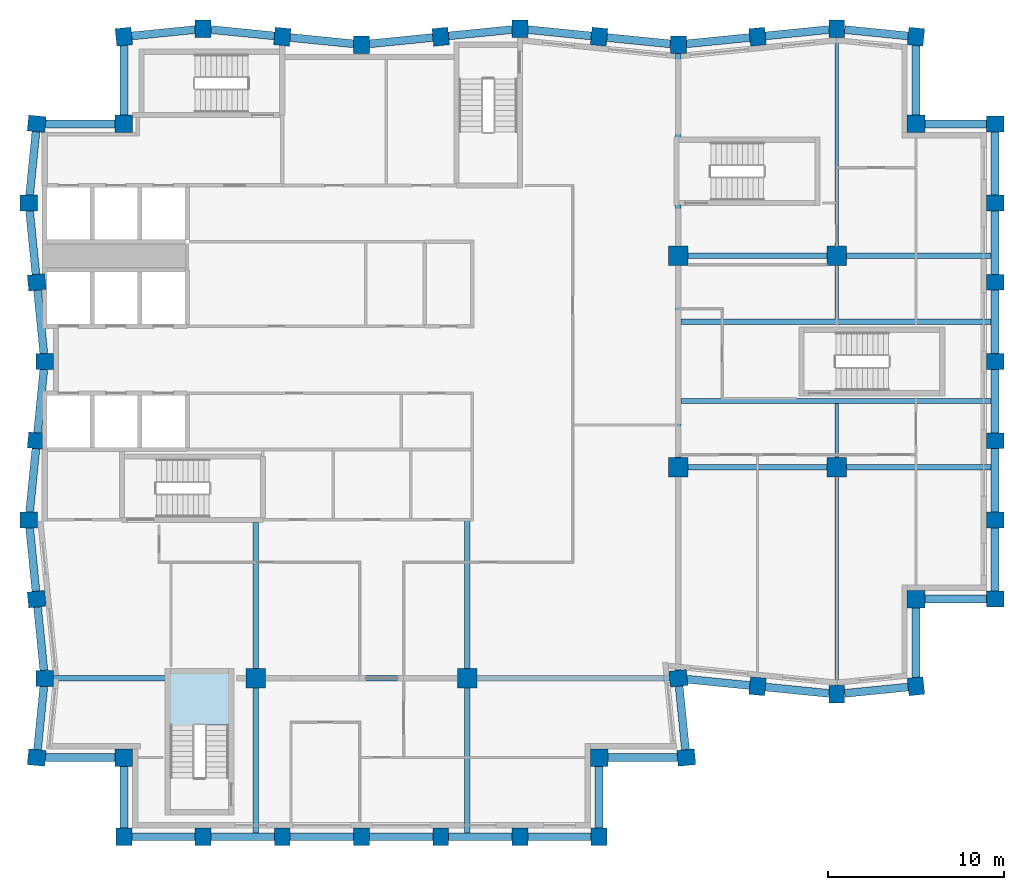
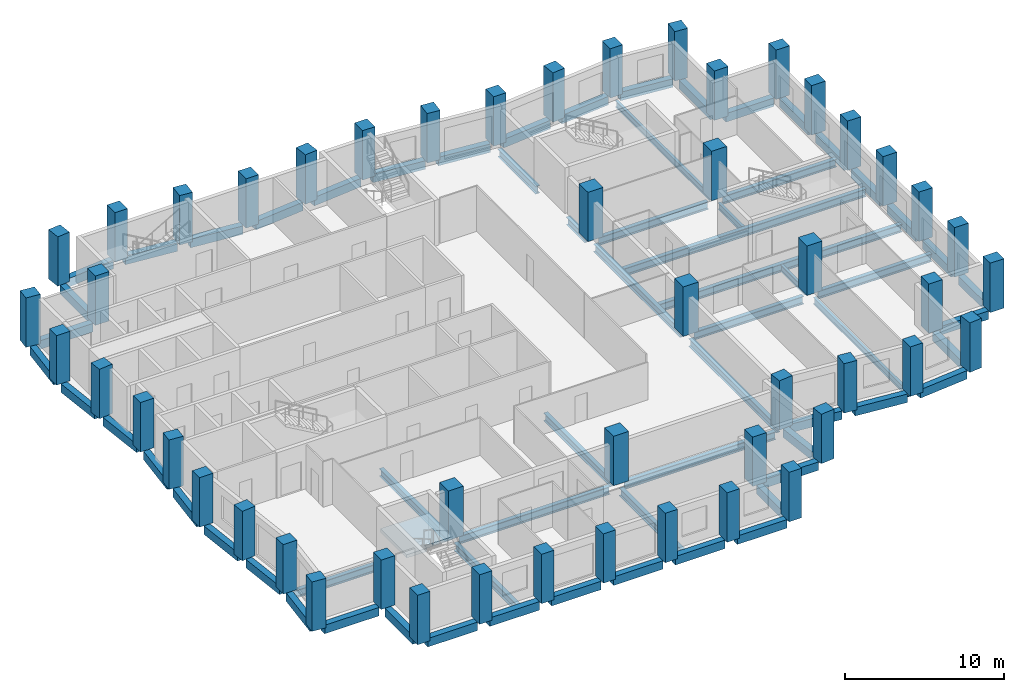
# One storey, part 1 of 8: 65 beams, 50 columns, 1 slab, 1 element without a shape of its own.
"""IFC4 building model written with IfcOpenShell, lengths in metres."""

from ifc_helpers import new_model, si_unit, direction, frame, origin, origin_2d, place, context, subcontext, project, spatial, polyline, rectangle, i_section, outline, extrude, material, layer, layer_set, material_profile, profile_set, type_object, element, aggregate, save


model = new_model("IFC4")

# Units and contexts
model_context = context("Model", 3, precision=1e-05, world=origin(), true_north=direction((0.0, 1.0)))
body_context = subcontext(model_context, "Body", "Model", "MODEL_VIEW")
ifc_project = project(units=[si_unit("LENGTHUNIT", "METRE"), si_unit("AREAUNIT", "SQUARE_METRE"), si_unit("VOLUMEUNIT", "CUBIC_METRE"), si_unit("PLANEANGLEUNIT", "RADIAN"), si_unit("MASSUNIT", "GRAM", prefix="KILO")], contexts=[model_context])

# Site, building, storey
site_placement = place(None, origin())
site = spatial("IfcSite", under=ifc_project, at=site_placement, CompositionType="ELEMENT")
building_placement = place(site_placement, origin())
building = spatial("IfcBuilding", under=site, at=building_placement, Name="Brondeck Convention Tower", CompositionType="ELEMENT")
storey_placement = place(building_placement, frame((0.0, 0.0, 217.800048828125)))
storey = spatial("IfcBuildingStorey", under=building, at=storey_placement, Name="L53", CompositionType="ELEMENT", Elevation=217.800048828125)

# Columns
ifc_material_1 = material(Name="Concrete C50/60", Category="concrete")
ifc_material_profile_1 = material_profile(ifc_material_1, rectangle(XDim=1.0, YDim=1.0, at=origin_2d()), Name="Corner column 1000x1000 Concrete C50/60")
ifc_profile_set_1 = profile_set([ifc_material_profile_1], Name="Concrete C50/60")
column_type_1 = type_object("IfcColumnType", Name="Corner column 1000x1000 Concrete C50/60", PredefinedType="COLUMN", material=ifc_profile_set_1)
for number, where, z_axis, x_axis, name in (
    (1, (4.5, 22.5, 0.0), (0.0, 0.0, 1.0), (1.0, 0.0, 0.0), "STR-COL-L53-NC-SWB18"),
    (2, (31.5, 22.5, 0.0), (0.0, 0.0, 1.0), (1.0, 0.0, 0.0), "STR-COL-L53-NC-SEB18"),
    (3, (49.5, 31.5, 0.0), (0.0, 0.0, 1.0), (1.0, 0.0, 0.0), "STR-COL-L53-NC-SEA54"),
    (4, (49.5, 58.5, 0.0), (0.0, 0.0, 1.0), (1.0, 0.0, 0.0), "STR-COL-L53-NC-NEA54"),
    (5, (4.5, 58.5, 0.0), (0.0, 0.0, 1.0), (1.0, 0.0, 0.0), "STR-COL-L53-NC-NW"),
):
    element("IfcColumn", number, at=place(storey_placement, frame(where, z_axis=z_axis, x_axis=x_axis)), inside=storey, type_object=column_type_1, Name=name, PredefinedType="COLUMN", context=body_context, shape_type="SweptSolid", body=[
        extrude(rectangle(XDim=1.0, YDim=1.0, at=origin_2d()), origin(), (0.0, 0.0, 1.0), 3.800048828125),
    ])
ifc_material_profile_2 = material_profile(ifc_material_1, rectangle(XDim=1.10009765625, YDim=1.10009765625, at=origin_2d()), Name="Interior column 1100x1100 Concrete C50/60")
ifc_profile_set_2 = profile_set([ifc_material_profile_2], Name="Concrete C50/60")
column_type_2 = type_object("IfcColumnType", Name="Interior column 1100x1100 Concrete C50/60", PredefinedType="COLUMN", material=ifc_profile_set_2)
for number, where, z_axis, x_axis, name in (
    (6, (12.0, 27.0, 0.0), (0.0, 0.0, 1.0), (1.0, 0.0, 0.0), "STR-COL-L53-IC-03"),
    (7, (24.0, 27.0, 0.0), (0.0, 0.0, 1.0), (1.0, 0.0, 0.0), "STR-COL-L53-IC-06"),
    (8, (36.0, 39.0, 0.0), (0.0, 0.0, 1.0), (1.0, 0.0, 0.0), "STR-COL-L53-IC-07"),
    (9, (36.0, 51.0, 0.0), (0.0, 0.0, 1.0), (1.0, 0.0, 0.0), "STR-COL-L53-IC-08"),
    (10, (45.0, 39.0, 0.0), (0.0, 0.0, 1.0), (1.0, 0.0, 0.0), "STR-COL-L53-IC-09"),
    (11, (45.0, 51.0, 0.0), (0.0, 0.0, 1.0), (1.0, 0.0, 0.0), "STR-COL-L53-IC-10"),
):
    element("IfcColumn", number, at=place(storey_placement, frame(where, z_axis=z_axis, x_axis=x_axis)), inside=storey, type_object=column_type_2, Name=name, PredefinedType="COLUMN", context=body_context, shape_type="SweptSolid", body=[
        extrude(rectangle(XDim=1.10009765625, YDim=1.10009765625, at=origin_2d()), origin(), (0.0, 0.0, 1.0), 3.800048828125),
    ])
ifc_material_profile_3 = material_profile(ifc_material_1, rectangle(XDim=0.89990234375, YDim=1.0, at=origin_2d()), Name="Perimeter pier 900x1000 Concrete C50/60")
ifc_profile_set_3 = profile_set([ifc_material_profile_3], Name="Concrete C50/60")
column_type_3 = type_object("IfcColumnType", Name="Perimeter pier 900x1000 Concrete C50/60", PredefinedType="COLUMN", material=ifc_profile_set_3)
for number, where, z_axis, x_axis, name in (
    (12, (4.5, 18.0, 0.0), (0.0, 0.0, 1.0), (1.0, 0.0, 0.0), "STR-COL-L53-PC-B-S18-01"),
    (13, (9.0, 18.0, 0.0), (0.0, 0.0, 1.0), (1.0, 0.0, 0.0), "STR-COL-L53-PC-B-S18-02"),
    (14, (13.5, 18.0, 0.0), (0.0, 0.0, 1.0), (1.0, 0.0, 0.0), "STR-COL-L53-PC-B-S18-03"),
    (15, (18.0, 18.0, 0.0), (0.0, 0.0, 1.0), (1.0, 0.0, 0.0), "STR-COL-L53-PC-B-S18-04"),
    (16, (22.5, 18.0, 0.0), (0.0, 0.0, 1.0), (1.0, 0.0, 0.0), "STR-COL-L53-PC-B-S18-05"),
    (17, (27.0, 18.0, 0.0), (0.0, 0.0, 1.0), (1.0, 0.0, 0.0), "STR-COL-L53-PC-B-S18-06"),
    (18, (31.5, 18.0, 0.0), (0.0, 0.0, 1.0), (1.0, 0.0, 0.0), "STR-COL-L53-PC-B-S18-07"),
    (19, (36.449951171875, 22.5, 0.0), (0.0, 0.0, 1.0), (-0.0995038382, 0.995037178292, 0.0), "STR-COL-L53-PC-B-E-01"),
    (20, (36.0, 27.0, 0.0), (0.0, 0.0, 1.0), (-0.0995038382, 0.995037178292, 0.0), "STR-COL-L53-PC-B-E-00"),
    (21, (40.5, 26.550048828125, 0.0), (0.0, 0.0, 1.0), (0.995037178292, -0.0995038382, 0.0), "STR-COL-L53-PC-A-S-01"),
    (22, (45.0, 26.10009765625, 0.0), (0.0, 0.0, 1.0), (1.0, 0.0, 0.0), "STR-COL-L53-PC-A-S-02"),
    (23, (49.5, 26.550048828125, 0.0), (0.0, 0.0, 1.0), (0.995037178292, 0.0995038382, 0.0), "STR-COL-L53-PC-A-S-03"),
    (24, (54.0, 31.5, 0.0), (0.0, 0.0, 1.0), (0.0, 1.0, 0.0), "STR-COL-L53-PC-A-E54-01"),
    (25, (54.0, 36.0, 0.0), (0.0, 0.0, 1.0), (0.0, 1.0, 0.0), "STR-COL-L53-PC-A-E54-02"),
    (26, (54.0, 40.5, 0.0), (0.0, 0.0, 1.0), (0.0, 1.0, 0.0), "STR-COL-L53-PC-A-E54-03"),
    (27, (54.0, 45.0, 0.0), (0.0, 0.0, 1.0), (0.0, 1.0, 0.0), "STR-COL-L53-PC-A-E54-04"),
    (28, (54.0, 49.5, 0.0), (0.0, 0.0, 1.0), (0.0, 1.0, 0.0), "STR-COL-L53-PC-A-E54-05"),
    (29, (54.0, 54.0, 0.0), (0.0, 0.0, 1.0), (0.0, 1.0, 0.0), "STR-COL-L53-PC-A-E54-06"),
    (30, (54.0, 58.5, 0.0), (0.0, 0.0, 1.0), (0.0, 1.0, 0.0), "STR-COL-L53-PC-A-E54-07"),
    (31, (49.5, 63.449951171875, 0.0), (0.0, 0.0, 1.0), (-0.995037178292, 0.0995038382, 0.0), "STR-COL-L53-PC-A-N-11"),
    (32, (45.0, 63.89990234375, 0.0), (0.0, 0.0, 1.0), (-1.0, 0.0, 0.0), "STR-COL-L53-PC-A-N-10"),
    (33, (40.5, 63.449951171875, 0.0), (0.0, 0.0, 1.0), (-0.995037178292, -0.0995038382, 0.0), "STR-COL-L53-PC-A-N-09"),
    (34, (36.0, 63.0, 0.0), (0.0, 0.0, 1.0), (-1.0, 0.0, 0.0), "STR-COL-L53-PC-A-N-08"),
    (35, (31.5, 63.449951171875, 0.0), (0.0, 0.0, 1.0), (-0.995037178292, 0.0995038382, 0.0), "STR-COL-L53-PC-A-N-07"),
    (36, (27.0, 63.89990234375, 0.0), (0.0, 0.0, 1.0), (-1.0, 0.0, 0.0), "STR-COL-L53-PC-A-N-06"),
    (37, (22.5, 63.449951171875, 0.0), (0.0, 0.0, 1.0), (-0.995037178292, -0.0995038382, 0.0), "STR-COL-L53-PC-A-N-05"),
    (38, (18.0, 63.0, 0.0), (0.0, 0.0, 1.0), (-1.0, 0.0, 0.0), "STR-COL-L53-PC-A-N-04"),
    (39, (13.5, 63.449951171875, 0.0), (0.0, 0.0, 1.0), (-0.995037178292, 0.0995038382, 0.0), "STR-COL-L53-PC-A-N-03"),
    (40, (9.0, 63.89990234375, 0.0), (0.0, 0.0, 1.0), (-1.0, 0.0, 0.0), "STR-COL-L53-PC-A-N-02"),
    (41, (4.5, 63.449951171875, 0.0), (0.0, 0.0, 1.0), (-0.995037178292, -0.0995038382, 0.0), "STR-COL-L53-PC-A-N-01"),
    (42, (-0.449951171875, 58.5, 0.0), (0.0, 0.0, 1.0), (-0.0995038382, -0.995037178292, 0.0), "STR-COL-L53-PC-B-W-01"),
    (43, (-0.89990234375, 54.0, 0.0), (0.0, 0.0, 1.0), (0.0, -1.0, 0.0), "STR-COL-L53-PC-B-W-02"),
    (44, (-0.449951171875, 49.5, 0.0), (0.0, 0.0, 1.0), (0.0995038382, -0.995037178292, 0.0), "STR-COL-L53-PC-B-W-03"),
    (45, (0.0, 45.0, 0.0), (0.0, 0.0, 1.0), (0.0, -1.0, 0.0), "STR-COL-L53-PC-B-W-04"),
    (46, (-0.449951171875, 40.5, 0.0), (0.0, 0.0, 1.0), (-0.0995038382, -0.995037178292, 0.0), "STR-COL-L53-PC-B-W-05"),
    (47, (-0.89990234375, 36.0, 0.0), (0.0, 0.0, 1.0), (0.0, -1.0, 0.0), "STR-COL-L53-PC-B-W-06"),
    (48, (-0.449951171875, 31.5, 0.0), (0.0, 0.0, 1.0), (0.0995038382, -0.995037178292, 0.0), "STR-COL-L53-PC-B-W-07"),
    (49, (0.0, 27.0, 0.0), (0.0, 0.0, 1.0), (0.0, -1.0, 0.0), "STR-COL-L53-PC-B-W-08"),
    (50, (-0.449951171875, 22.5, 0.0), (0.0, 0.0, 1.0), (-0.0995038382, -0.995037178292, 0.0), "STR-COL-L53-PC-B-W-09"),
):
    element("IfcColumn", number, at=place(storey_placement, frame(where, z_axis=z_axis, x_axis=x_axis)), inside=storey, type_object=column_type_3, Name=name, PredefinedType="COLUMN", context=body_context, shape_type="SweptSolid", body=[
        extrude(rectangle(XDim=0.89990234375, YDim=1.0, at=origin_2d()), origin(), (0.0, 0.0, 1.0), 3.800048828125),
    ])

# Beams
ifc_material_2 = material(Name="Steel S355", Category="steel")
ifc_material_profile_4 = material_profile(ifc_material_2, i_section(OverallWidth=0.199951171875, OverallDepth=0.5, WebThickness=0.01025390625, FlangeThickness=0.01611328125, FilletRadius=0.02099609375, at=origin_2d()), Name="IPE 500")
ifc_profile_set_4 = profile_set([ifc_material_profile_4], Name="Steel S355")
beam_type_1 = type_object("IfcBeamType", Name="Floor beam IPE 500", PredefinedType="BEAM", material=ifc_profile_set_4)
for number, where, z_axis, x_axis, name in (
    (51, (45.0, 26.60009765625, -0.550048828125), (0.0, 1.0, 0.0), (-1.0, 0.0, 0.0), "STR-FB-L53-001"),
    (52, (45.0, 51.550048828125, -0.550048828125), (0.0, 1.0, 0.0), (-1.0, 0.0, 0.0), "STR-FB-L53-002"),
):
    element("IfcBeam", number, at=place(storey_placement, frame(where, z_axis=z_axis, x_axis=x_axis)), inside=storey, type_object=beam_type_1, Name=name, PredefinedType="BEAM", context=body_context, shape_type="SweptSolid", body=[
        extrude(i_section(OverallWidth=0.199951171875, OverallDepth=0.5, WebThickness=0.01025390625, FlangeThickness=0.01611328125, FilletRadius=0.02099609375, at=origin_2d()), origin(), (0.0, 0.0, 1.0), 11.849853515625),
    ])
for number, where, z_axis, x_axis, name in (
    (53, (45.0, 39.550048828125, -0.550048828125), (0.0, 1.0, 0.0), (-1.0, 0.0, 0.0), "STR-FB-L53-003"),
    (54, (45.0, 47.39990234375, -0.550048828125), (0.0, 1.0, 0.0), (-1.0, 0.0, 0.0), "STR-FB-L53-004"),
):
    element("IfcBeam", number, at=place(storey_placement, frame(where, z_axis=z_axis, x_axis=x_axis)), inside=storey, type_object=beam_type_1, Name=name, PredefinedType="BEAM", context=body_context, shape_type="SweptSolid", body=[
        extrude(i_section(OverallWidth=0.199951171875, OverallDepth=0.5, WebThickness=0.01025390625, FlangeThickness=0.01611328125, FilletRadius=0.02099609375, at=origin_2d()), origin(), (0.0, 0.0, 1.0), 3.050048828125),
    ])
ifc_material_profile_5 = material_profile(ifc_material_2, i_section(OverallWidth=0.300048828125, OverallDepth=0.60009765625, WebThickness=0.015380859375, FlangeThickness=0.030029296875, FilletRadius=0.027099609375, at=origin_2d()), Name="HEB 600")
ifc_profile_set_5 = profile_set([ifc_material_profile_5], Name="Steel S355")
beam_type_2 = type_object("IfcBeamType", Name="Girder HEB 600", PredefinedType="BEAM", material=ifc_profile_set_5)
beam_1_placement = place(storey_placement, frame((36.550048828125, 39.0, -0.60009765625), z_axis=(1.0, 0.0, 0.0), x_axis=(0.0, 1.0, 0.0)))
element("IfcBeam", 55, at=beam_1_placement, inside=storey, type_object=beam_type_2, Name="STR-GR-L53-001", PredefinedType="BEAM", context=body_context, shape_type="SweptSolid", body=[
    extrude(i_section(OverallWidth=0.300048828125, OverallDepth=0.60009765625, WebThickness=0.015380859375, FlangeThickness=0.030029296875, FilletRadius=0.027099609375, at=origin_2d()), origin(), (0.0, 0.0, 1.0), 7.89990234375),
])
beam_2_placement = place(storey_placement, frame((45.550048828125, 39.0, -0.60009765625), z_axis=(1.0, 0.0, 0.0), x_axis=(0.0, 1.0, 0.0)))
element("IfcBeam", 56, at=beam_2_placement, inside=storey, type_object=beam_type_2, Name="STR-GR-L53-002", PredefinedType="BEAM", context=body_context, shape_type="SweptSolid", body=[
    extrude(i_section(OverallWidth=0.300048828125, OverallDepth=0.60009765625, WebThickness=0.015380859375, FlangeThickness=0.030029296875, FilletRadius=0.027099609375, at=origin_2d()), origin(), (0.0, 0.0, 1.0), 8.224853515625),
])
beam_3_placement = place(storey_placement, frame((36.550048828125, 51.0, -0.60009765625), z_axis=(1.0, 0.0, 0.0), x_axis=(0.0, 1.0, 0.0)))
element("IfcBeam", 57, at=beam_3_placement, inside=storey, type_object=beam_type_2, Name="STR-GR-L53-003", PredefinedType="BEAM", context=body_context, shape_type="SweptSolid", body=[
    extrude(i_section(OverallWidth=0.300048828125, OverallDepth=0.60009765625, WebThickness=0.015380859375, FlangeThickness=0.030029296875, FilletRadius=0.027099609375, at=origin_2d()), origin(), (0.0, 0.0, 1.0), 7.89990234375),
])
beam_4_placement = place(storey_placement, frame((45.550048828125, 51.0, -0.60009765625), z_axis=(1.0, 0.0, 0.0), x_axis=(0.0, 1.0, 0.0)))
element("IfcBeam", 58, at=beam_4_placement, inside=storey, type_object=beam_type_2, Name="STR-GR-L53-004", PredefinedType="BEAM", context=body_context, shape_type="SweptSolid", body=[
    extrude(i_section(OverallWidth=0.300048828125, OverallDepth=0.60009765625, WebThickness=0.015380859375, FlangeThickness=0.030029296875, FilletRadius=0.027099609375, at=origin_2d()), origin(), (0.0, 0.0, 1.0), 8.224853515625),
])
beam_5_placement = place(storey_placement, frame((36.0, 27.4521484375, -0.60009765625), z_axis=(0.0, 1.0, 0.0), x_axis=(-1.0, 0.0, 0.0)))
element("IfcBeam", 59, at=beam_5_placement, inside=storey, type_object=beam_type_2, Name="STR-GR-L53-005", PredefinedType="BEAM", context=body_context, shape_type="SweptSolid", body=[
    extrude(i_section(OverallWidth=0.300048828125, OverallDepth=0.60009765625, WebThickness=0.015380859375, FlangeThickness=0.030029296875, FilletRadius=0.027099609375, at=origin_2d()), origin(), (0.0, 0.0, 1.0), 10.997802734375),
])
beam_6_placement = place(storey_placement, frame((36.0, 39.550048828125, -0.60009765625), z_axis=(0.0, 1.0, 0.0), x_axis=(-1.0, 0.0, 0.0)))
element("IfcBeam", 60, at=beam_6_placement, inside=storey, type_object=beam_type_2, Name="STR-GR-L53-006", PredefinedType="BEAM", context=body_context, shape_type="SweptSolid", body=[
    extrude(i_section(OverallWidth=0.300048828125, OverallDepth=0.60009765625, WebThickness=0.015380859375, FlangeThickness=0.030029296875, FilletRadius=0.027099609375, at=origin_2d()), origin(), (0.0, 0.0, 1.0), 10.89990234375),
])
beam_7_placement = place(storey_placement, frame((36.0, 51.550048828125, -0.60009765625), z_axis=(0.0, 1.0, 0.0), x_axis=(-1.0, 0.0, 0.0)))
element("IfcBeam", 61, at=beam_7_placement, inside=storey, type_object=beam_type_2, Name="STR-GR-L53-007", PredefinedType="BEAM", context=body_context, shape_type="SweptSolid", body=[
    extrude(i_section(OverallWidth=0.300048828125, OverallDepth=0.60009765625, WebThickness=0.015380859375, FlangeThickness=0.030029296875, FilletRadius=0.027099609375, at=origin_2d()), origin(), (0.0, 0.0, 1.0), 2.329833984375),
])
beam_8_placement = place(storey_placement, frame((36.0, 57.719970703125, -0.60009765625), z_axis=(0.0, 1.0, 0.0), x_axis=(-1.0, 0.0, 0.0)))
element("IfcBeam", 62, at=beam_8_placement, inside=storey, type_object=beam_type_2, Name="STR-GR-L53-008", PredefinedType="BEAM", context=body_context, shape_type="SweptSolid", body=[
    extrude(i_section(OverallWidth=0.300048828125, OverallDepth=0.60009765625, WebThickness=0.015380859375, FlangeThickness=0.030029296875, FilletRadius=0.027099609375, at=origin_2d()), origin(), (0.0, 0.0, 1.0), 4.780029296875),
])
beam_9_placement = place(storey_placement, frame((12.0, 35.85009765625, -0.60009765625), z_axis=(0.0, -1.0, 0.0), x_axis=(1.0, 0.0, 0.0)))
element("IfcBeam", 63, at=beam_9_placement, inside=storey, type_object=beam_type_2, Name="STR-GR-L53-009", PredefinedType="BEAM", context=body_context, shape_type="SweptSolid", body=[
    extrude(i_section(OverallWidth=0.300048828125, OverallDepth=0.60009765625, WebThickness=0.015380859375, FlangeThickness=0.030029296875, FilletRadius=0.027099609375, at=origin_2d()), origin(), (0.0, 0.0, 1.0), 8.300048828125),
])
beam_10_placement = place(storey_placement, frame((12.0, 26.449951171875, -0.60009765625), z_axis=(0.0, -1.0, 0.0), x_axis=(1.0, 0.0, 0.0)))
element("IfcBeam", 64, at=beam_10_placement, inside=storey, type_object=beam_type_2, Name="STR-GR-L53-010", PredefinedType="BEAM", context=body_context, shape_type="SweptSolid", body=[
    extrude(i_section(OverallWidth=0.300048828125, OverallDepth=0.60009765625, WebThickness=0.015380859375, FlangeThickness=0.030029296875, FilletRadius=0.027099609375, at=origin_2d()), origin(), (0.0, 0.0, 1.0), 8.224853515625),
])
beam_11_placement = place(storey_placement, frame((24.0, 35.955078125, -0.60009765625), z_axis=(0.0, -1.0, 0.0), x_axis=(1.0, 0.0, 0.0)))
element("IfcBeam", 65, at=beam_11_placement, inside=storey, type_object=beam_type_2, Name="STR-GR-L53-011", PredefinedType="BEAM", context=body_context, shape_type="SweptSolid", body=[
    extrude(i_section(OverallWidth=0.300048828125, OverallDepth=0.60009765625, WebThickness=0.015380859375, FlangeThickness=0.030029296875, FilletRadius=0.027099609375, at=origin_2d()), origin(), (0.0, 0.0, 1.0), 8.405029296875),
])
beam_12_placement = place(storey_placement, frame((24.0, 26.449951171875, -0.60009765625), z_axis=(0.0, -1.0, 0.0), x_axis=(1.0, 0.0, 0.0)))
element("IfcBeam", 66, at=beam_12_placement, inside=storey, type_object=beam_type_2, Name="STR-GR-L53-012", PredefinedType="BEAM", context=body_context, shape_type="SweptSolid", body=[
    extrude(i_section(OverallWidth=0.300048828125, OverallDepth=0.60009765625, WebThickness=0.015380859375, FlangeThickness=0.030029296875, FilletRadius=0.027099609375, at=origin_2d()), origin(), (0.0, 0.0, 1.0), 8.224853515625),
])
beam_13_placement = place(storey_placement, frame((0.5, 27.0, -0.60009765625), z_axis=(1.0, 0.0, 0.0), x_axis=(0.0, 1.0, 0.0)))
element("IfcBeam", 67, at=beam_13_placement, inside=storey, type_object=beam_type_2, Name="STR-GR-L53-013", PredefinedType="BEAM", context=body_context, shape_type="SweptSolid", body=[
    extrude(i_section(OverallWidth=0.300048828125, OverallDepth=0.60009765625, WebThickness=0.015380859375, FlangeThickness=0.030029296875, FilletRadius=0.027099609375, at=origin_2d()), origin(), (0.0, 0.0, 1.0), 6.3798828125),
])
beam_14_placement = place(storey_placement, frame((12.550048828125, 27.0, -0.60009765625), z_axis=(1.0, 0.0, 0.0), x_axis=(0.0, 1.0, 0.0)))
element("IfcBeam", 68, at=beam_14_placement, inside=storey, type_object=beam_type_2, Name="STR-GR-L53-014", PredefinedType="BEAM", context=body_context, shape_type="SweptSolid", body=[
    extrude(i_section(OverallWidth=0.300048828125, OverallDepth=0.60009765625, WebThickness=0.015380859375, FlangeThickness=0.030029296875, FilletRadius=0.027099609375, at=origin_2d()), origin(), (0.0, 0.0, 1.0), 10.89990234375),
])
beam_15_placement = place(storey_placement, frame((24.550048828125, 27.0, -0.60009765625), z_axis=(1.0, 0.0, 0.0), x_axis=(0.0, 1.0, 0.0)))
element("IfcBeam", 69, at=beam_15_placement, inside=storey, type_object=beam_type_2, Name="STR-GR-L53-015", PredefinedType="BEAM", context=body_context, shape_type="SweptSolid", body=[
    extrude(i_section(OverallWidth=0.300048828125, OverallDepth=0.60009765625, WebThickness=0.015380859375, FlangeThickness=0.030029296875, FilletRadius=0.027099609375, at=origin_2d()), origin(), (0.0, 0.0, 1.0), 10.947509765625),
])
for number, where, z_axis, x_axis, name in (
    (70, (36.14990234375, 42.75, -0.60009765625), (1.0, 0.0, 0.0), (0.0, 1.0, 0.0), "STR-GR-L53-016"),
    (71, (36.14990234375, 47.25, -0.60009765625), (1.0, 0.0, 0.0), (0.0, 1.0, 0.0), "STR-GR-L53-017"),
):
    element("IfcBeam", number, at=place(storey_placement, frame(where, z_axis=z_axis, x_axis=x_axis)), inside=storey, type_object=beam_type_2, Name=name, PredefinedType="BEAM", context=body_context, shape_type="SweptSolid", body=[
        extrude(i_section(OverallWidth=0.300048828125, OverallDepth=0.60009765625, WebThickness=0.015380859375, FlangeThickness=0.030029296875, FilletRadius=0.027099609375, at=origin_2d()), origin(), (0.0, 0.0, 1.0), 17.625),
    ])
ifc_material_profile_6 = material_profile(ifc_material_1, rectangle(XDim=0.449951171875, YDim=0.64990234375, at=origin_2d()), Name="Precast spandrel 450x650 Concrete C50/60")
ifc_profile_set_6 = profile_set([ifc_material_profile_6], Name="Concrete C50/60")
beam_type_3 = type_object("IfcBeamType", Name="Precast spandrel 450x650 Concrete C50/60", PredefinedType="SPANDREL", material=ifc_profile_set_6)
for number, where, z_axis, x_axis, name in (
    (72, (4.949951171875, 18.0, -0.324951171875), (1.0, 0.0, 0.0), (0.0, 1.0, 0.0), "STR-SP-L53-001"),
    (73, (9.449951171875, 18.0, -0.324951171875), (1.0, 0.0, 0.0), (0.0, 1.0, 0.0), "STR-SP-L53-002"),
    (74, (13.949951171875, 18.0, -0.324951171875), (1.0, 0.0, 0.0), (0.0, 1.0, 0.0), "STR-SP-L53-003"),
    (75, (18.449951171875, 18.0, -0.324951171875), (1.0, 0.0, 0.0), (0.0, 1.0, 0.0), "STR-SP-L53-004"),
    (76, (22.949951171875, 18.0, -0.324951171875), (1.0, 0.0, 0.0), (0.0, 1.0, 0.0), "STR-SP-L53-005"),
    (77, (27.449951171875, 18.0, -0.324951171875), (1.0, 0.0, 0.0), (0.0, 1.0, 0.0), "STR-SP-L53-006"),
):
    element("IfcBeam", number, at=place(storey_placement, frame(where, z_axis=z_axis, x_axis=x_axis)), inside=storey, type_object=beam_type_3, Name=name, PredefinedType="SPANDREL", context=body_context, shape_type="SweptSolid", body=[
        extrude(rectangle(XDim=0.449951171875, YDim=0.64990234375, at=origin_2d()), origin(), (0.0, 0.0, 1.0), 3.60009765625),
    ])
beam_16_placement = place(storey_placement, frame((31.5, 18.5, -0.324951171875), z_axis=(0.0, 1.0, 0.0), x_axis=(-1.0, 0.0, 0.0)))
element("IfcBeam", 78, at=beam_16_placement, inside=storey, type_object=beam_type_3, Name="STR-SP-L53-007", PredefinedType="SPANDREL", context=body_context, shape_type="SweptSolid", body=[
    extrude(rectangle(XDim=0.449951171875, YDim=0.64990234375, at=origin_2d()), origin(), (0.0, 0.0, 1.0), 3.5),
])
beam_17_placement = place(storey_placement, frame((32.0, 22.5, -0.324951171875), z_axis=(1.0, 0.0, 0.0), x_axis=(0.0, 1.0, 0.0)))
element("IfcBeam", 79, at=beam_17_placement, inside=storey, type_object=beam_type_3, Name="STR-SP-L53-008", PredefinedType="SPANDREL", context=body_context, shape_type="SweptSolid", body=[
    extrude(rectangle(XDim=0.449951171875, YDim=0.64990234375, at=origin_2d()), origin(), (0.0, 0.0, 1.0), 3.947509765625),
])
beam_18_placement = place(storey_placement, frame((36.4052734375, 22.94775390625, -0.324951171875), z_axis=(-0.099543756114, 0.995033185687, 0.0), x_axis=(-0.995033185687, -0.099543756114, 0.0)))
element("IfcBeam", 80, at=beam_18_placement, inside=storey, type_object=beam_type_3, Name="STR-SP-L53-009", PredefinedType="SPANDREL", context=body_context, shape_type="SweptSolid", body=[
    extrude(rectangle(XDim=0.449951171875, YDim=0.64990234375, at=origin_2d()), origin(), (0.0, 0.0, 1.0), 3.62255859375),
])
beam_19_placement = place(storey_placement, frame((36.507568359375, 26.94921875, -0.324951171875), z_axis=(0.995036511638, -0.099510504504, 0.0), x_axis=(0.099510504504, 0.995036511638, 0.0)))
element("IfcBeam", 81, at=beam_19_placement, inside=storey, type_object=beam_type_3, Name="STR-SP-L53-010", PredefinedType="SPANDREL", context=body_context, shape_type="SweptSolid", body=[
    extrude(rectangle(XDim=0.449951171875, YDim=0.64990234375, at=origin_2d()), origin(), (0.0, 0.0, 1.0), 3.562255859375),
])
for number, where, z_axis, x_axis, name in (
    (82, (40.94775390625, 26.505126953125, -0.324951171875), (0.995040528141, -0.099470334057, 0.0), (0.099470334057, 0.995040528141, 0.0), "STR-SP-L53-011"),
    (83, (45.449951171875, 26.14501953125, -0.324951171875), (0.995040528141, 0.099470334057, 0.0), (-0.099470334057, 0.995040528141, 0.0), "STR-SP-L53-012"),
):
    element("IfcBeam", number, at=place(storey_placement, frame(where, z_axis=z_axis, x_axis=x_axis)), inside=storey, type_object=beam_type_3, Name=name, PredefinedType="SPANDREL", context=body_context, shape_type="SweptSolid", body=[
        extrude(rectangle(XDim=0.449951171875, YDim=0.64990234375, at=origin_2d()), origin(), (0.0, 0.0, 1.0), 3.620361328125),
    ])
beam_20_placement = place(storey_placement, frame((49.5, 27.052490234375, -0.324951171875), z_axis=(0.0, 1.0, 0.0), x_axis=(-1.0, 0.0, 0.0)))
element("IfcBeam", 84, at=beam_20_placement, inside=storey, type_object=beam_type_3, Name="STR-SP-L53-013", PredefinedType="SPANDREL", context=body_context, shape_type="SweptSolid", body=[
    extrude(rectangle(XDim=0.449951171875, YDim=0.64990234375, at=origin_2d()), origin(), (0.0, 0.0, 1.0), 3.947509765625),
])
beam_21_placement = place(storey_placement, frame((50.0, 31.5, -0.324951171875), z_axis=(1.0, 0.0, 0.0), x_axis=(0.0, 1.0, 0.0)))
element("IfcBeam", 85, at=beam_21_placement, inside=storey, type_object=beam_type_3, Name="STR-SP-L53-014", PredefinedType="SPANDREL", context=body_context, shape_type="SweptSolid", body=[
    extrude(rectangle(XDim=0.449951171875, YDim=0.64990234375, at=origin_2d()), origin(), (0.0, 0.0, 1.0), 3.5),
])
for number, where, z_axis, x_axis, name in (
    (86, (54.0, 31.949951171875, -0.324951171875), (0.0, 1.0, 0.0), (-1.0, 0.0, 0.0), "STR-SP-L53-015"),
    (87, (54.0, 36.449951171875, -0.324951171875), (0.0, 1.0, 0.0), (-1.0, 0.0, 0.0), "STR-SP-L53-016"),
    (88, (54.0, 40.949951171875, -0.324951171875), (0.0, 1.0, 0.0), (-1.0, 0.0, 0.0), "STR-SP-L53-017"),
    (89, (54.0, 45.449951171875, -0.324951171875), (0.0, 1.0, 0.0), (-1.0, 0.0, 0.0), "STR-SP-L53-018"),
    (90, (54.0, 49.949951171875, -0.324951171875), (0.0, 1.0, 0.0), (-1.0, 0.0, 0.0), "STR-SP-L53-019"),
    (91, (54.0, 54.449951171875, -0.324951171875), (0.0, 1.0, 0.0), (-1.0, 0.0, 0.0), "STR-SP-L53-020"),
):
    element("IfcBeam", number, at=place(storey_placement, frame(where, z_axis=z_axis, x_axis=x_axis)), inside=storey, type_object=beam_type_3, Name=name, PredefinedType="SPANDREL", context=body_context, shape_type="SweptSolid", body=[
        extrude(rectangle(XDim=0.449951171875, YDim=0.64990234375, at=origin_2d()), origin(), (0.0, 0.0, 1.0), 3.60009765625),
    ])
beam_22_placement = place(storey_placement, frame((53.5, 58.5, -0.324951171875), z_axis=(-1.0, 0.0, 0.0), x_axis=(0.0, -1.0, 0.0)))
element("IfcBeam", 92, at=beam_22_placement, inside=storey, type_object=beam_type_3, Name="STR-SP-L53-021", PredefinedType="SPANDREL", context=body_context, shape_type="SweptSolid", body=[
    extrude(rectangle(XDim=0.449951171875, YDim=0.64990234375, at=origin_2d()), origin(), (0.0, 0.0, 1.0), 3.5),
])
beam_23_placement = place(storey_placement, frame((49.5, 59.0, -0.324951171875), z_axis=(0.0, 1.0, 0.0), x_axis=(-1.0, 0.0, 0.0)))
element("IfcBeam", 93, at=beam_23_placement, inside=storey, type_object=beam_type_3, Name="STR-SP-L53-022", PredefinedType="SPANDREL", context=body_context, shape_type="SweptSolid", body=[
    extrude(rectangle(XDim=0.449951171875, YDim=0.64990234375, at=origin_2d()), origin(), (0.0, 0.0, 1.0), 3.947509765625),
])
for number, where, z_axis, x_axis, name in (
    (94, (49.05224609375, 63.494873046875, -0.324951171875), (-0.995040528141, 0.099470334057, 0.0), (-0.099470334057, -0.995040528141, 0.0), "STR-SP-L53-023"),
    (95, (44.550048828125, 63.85498046875, -0.324951171875), (-0.995040528141, -0.099470334057, 0.0), (0.099470334057, -0.995040528141, 0.0), "STR-SP-L53-024"),
    (96, (40.05224609375, 63.4052734375, -0.324951171875), (-0.995033851182, -0.099537103649, 0.0), (0.099537103649, -0.995033851182, 0.0), "STR-SP-L53-025"),
    (97, (35.550048828125, 63.044921875, -0.324951171875), (-0.995033851182, 0.099537103649, 0.0), (-0.099537103649, -0.995033851182, 0.0), "STR-SP-L53-026"),
    (98, (31.05224609375, 63.494873046875, -0.324951171875), (-0.995040528141, 0.099470334057, 0.0), (-0.099470334057, -0.995040528141, 0.0), "STR-SP-L53-027"),
    (99, (26.550048828125, 63.85498046875, -0.324951171875), (-0.995040528141, -0.099470334057, 0.0), (0.099470334057, -0.995040528141, 0.0), "STR-SP-L53-028"),
    (100, (22.05224609375, 63.4052734375, -0.324951171875), (-0.995033851182, -0.099537103649, 0.0), (0.099537103649, -0.995033851182, 0.0), "STR-SP-L53-029"),
    (101, (17.550048828125, 63.044921875, -0.324951171875), (-0.995033851182, 0.099537103649, 0.0), (-0.099537103649, -0.995033851182, 0.0), "STR-SP-L53-030"),
    (102, (13.05224609375, 63.494873046875, -0.324951171875), (-0.995040528141, 0.099470334057, 0.0), (-0.099470334057, -0.995040528141, 0.0), "STR-SP-L53-031"),
    (103, (8.550048828125, 63.85498046875, -0.324951171875), (-0.995040528141, -0.099470334057, 0.0), (0.099470334057, -0.995040528141, 0.0), "STR-SP-L53-032"),
):
    element("IfcBeam", number, at=place(storey_placement, frame(where, z_axis=z_axis, x_axis=x_axis)), inside=storey, type_object=beam_type_3, Name=name, PredefinedType="SPANDREL", context=body_context, shape_type="SweptSolid", body=[
        extrude(rectangle(XDim=0.449951171875, YDim=0.64990234375, at=origin_2d()), origin(), (0.0, 0.0, 1.0), 3.620361328125),
    ])
for number, where, z_axis, x_axis, name in (
    (104, (4.5, 62.947509765625, -0.324951171875), (0.0, -1.0, 0.0), (1.0, 0.0, 0.0), "STR-SP-L53-033"),
    (105, (4.0, 58.5, -0.324951171875), (-1.0, 0.0, 0.0), (0.0, -1.0, 0.0), "STR-SP-L53-034"),
):
    element("IfcBeam", number, at=place(storey_placement, frame(where, z_axis=z_axis, x_axis=x_axis)), inside=storey, type_object=beam_type_3, Name=name, PredefinedType="SPANDREL", context=body_context, shape_type="SweptSolid", body=[
        extrude(rectangle(XDim=0.449951171875, YDim=0.64990234375, at=origin_2d()), origin(), (0.0, 0.0, 1.0), 3.947509765625),
    ])
for number, where, z_axis, x_axis, name in (
    (106, (-0.494873046875, 58.05224609375, -0.324951171875), (-0.099470334057, -0.995040528141, 0.0), (0.995040528141, -0.099470334057, 0.0), "STR-SP-L53-035"),
    (107, (-0.85498046875, 53.550048828125, -0.324951171875), (0.099470334057, -0.995040528141, 0.0), (0.995040528141, 0.099470334057, 0.0), "STR-SP-L53-036"),
    (108, (-0.4052734375, 49.05224609375, -0.324951171875), (0.099537103649, -0.995033851182, 0.0), (0.995033851182, 0.099537103649, 0.0), "STR-SP-L53-037"),
    (109, (-0.044921875, 44.550048828125, -0.324951171875), (-0.099537103649, -0.995033851182, 0.0), (0.995033851182, -0.099537103649, 0.0), "STR-SP-L53-038"),
    (110, (-0.494873046875, 40.05224609375, -0.324951171875), (-0.099470334057, -0.995040528141, 0.0), (0.995040528141, -0.099470334057, 0.0), "STR-SP-L53-039"),
    (111, (-0.85498046875, 35.550048828125, -0.324951171875), (0.099470334057, -0.995040528141, 0.0), (0.995040528141, 0.099470334057, 0.0), "STR-SP-L53-040"),
    (112, (-0.4052734375, 31.05224609375, -0.324951171875), (0.099537103649, -0.995033851182, 0.0), (0.995033851182, 0.099537103649, 0.0), "STR-SP-L53-041"),
    (113, (-0.044921875, 26.550048828125, -0.324951171875), (-0.099537103649, -0.995033851182, 0.0), (0.995033851182, -0.099537103649, 0.0), "STR-SP-L53-042"),
):
    element("IfcBeam", number, at=place(storey_placement, frame(where, z_axis=z_axis, x_axis=x_axis)), inside=storey, type_object=beam_type_3, Name=name, PredefinedType="SPANDREL", context=body_context, shape_type="SweptSolid", body=[
        extrude(rectangle(XDim=0.449951171875, YDim=0.64990234375, at=origin_2d()), origin(), (0.0, 0.0, 1.0), 3.620361328125),
    ])
beam_24_placement = place(storey_placement, frame((0.052490234375, 22.5, -0.324951171875), z_axis=(1.0, 0.0, 0.0), x_axis=(0.0, 1.0, 0.0)))
element("IfcBeam", 114, at=beam_24_placement, inside=storey, type_object=beam_type_3, Name="STR-SP-L53-043", PredefinedType="SPANDREL", context=body_context, shape_type="SweptSolid", body=[
    extrude(rectangle(XDim=0.449951171875, YDim=0.64990234375, at=origin_2d()), origin(), (0.0, 0.0, 1.0), 3.947509765625),
])
beam_25_placement = place(storey_placement, frame((4.5, 22.0, -0.324951171875), z_axis=(0.0, -1.0, 0.0), x_axis=(1.0, 0.0, 0.0)))
element("IfcBeam", 115, at=beam_25_placement, inside=storey, type_object=beam_type_3, Name="STR-SP-L53-044", PredefinedType="SPANDREL", context=body_context, shape_type="SweptSolid", body=[
    extrude(rectangle(XDim=0.449951171875, YDim=0.64990234375, at=origin_2d()), origin(), (0.0, 0.0, 1.0), 3.5),
])

# Stair, slab
ifc_material_3 = material(Name="Precast concrete C50/60", Category="concrete")
stair_type = type_object("IfcStairType", Name="Core stair 22 risers 172.73 mm riser 300 mm going 1350 wide", PredefinedType="HALF_TURN_STAIR", material=ifc_material_3)
stair_placement = place(storey_placement, origin())
stair = element("IfcStair", 116, at=stair_placement, inside=storey, type_object=stair_type, Name="ST-BE L53 stair", PredefinedType="HALF_TURN_STAIR")
ifc_layer = layer(ifc_material_3, 0.25)
ifc_layer_set = layer_set([ifc_layer], Name="Core stair landing 250 Precast concrete C50/60")
slab_type = type_object("IfcSlabType", Name="Core stair landing 250 Precast concrete C50/60", PredefinedType="LANDING", material=ifc_layer_set)
slab_placement = place(storey_placement, frame((0.0, 0.0, 1.64990234375)))
slab = element("IfcSlab", 117, at=slab_placement, type_object=slab_type, Name="ST-BE landing 1", PredefinedType="LANDING", context=body_context, shape_type="SweptSolid", body=[
    extrude(outline(polyline([(7.030029296875, 24.050048828125), (7.030029296875, 27.3701171875), (10.570068359375, 27.3701171875), (10.570068359375, 24.347900390625), (9.10009765625, 24.347900390625), (9.10009765625, 24.35009765625), (8.5, 24.35009765625), (8.5, 24.050048828125), (7.030029296875, 24.050048828125)])), origin(), (0.0, 0.0, 1.0), 0.25),
])
aggregate(stair, [slab])

save(model, "model.ifc")
